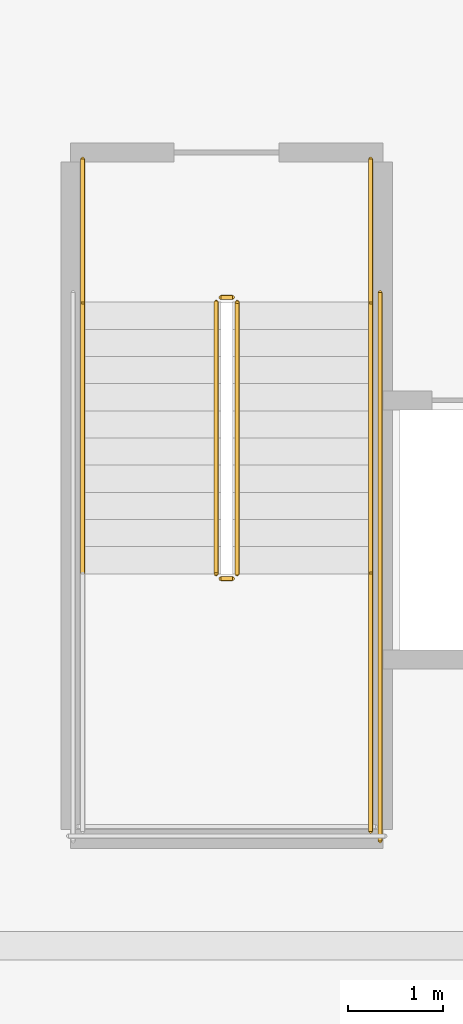
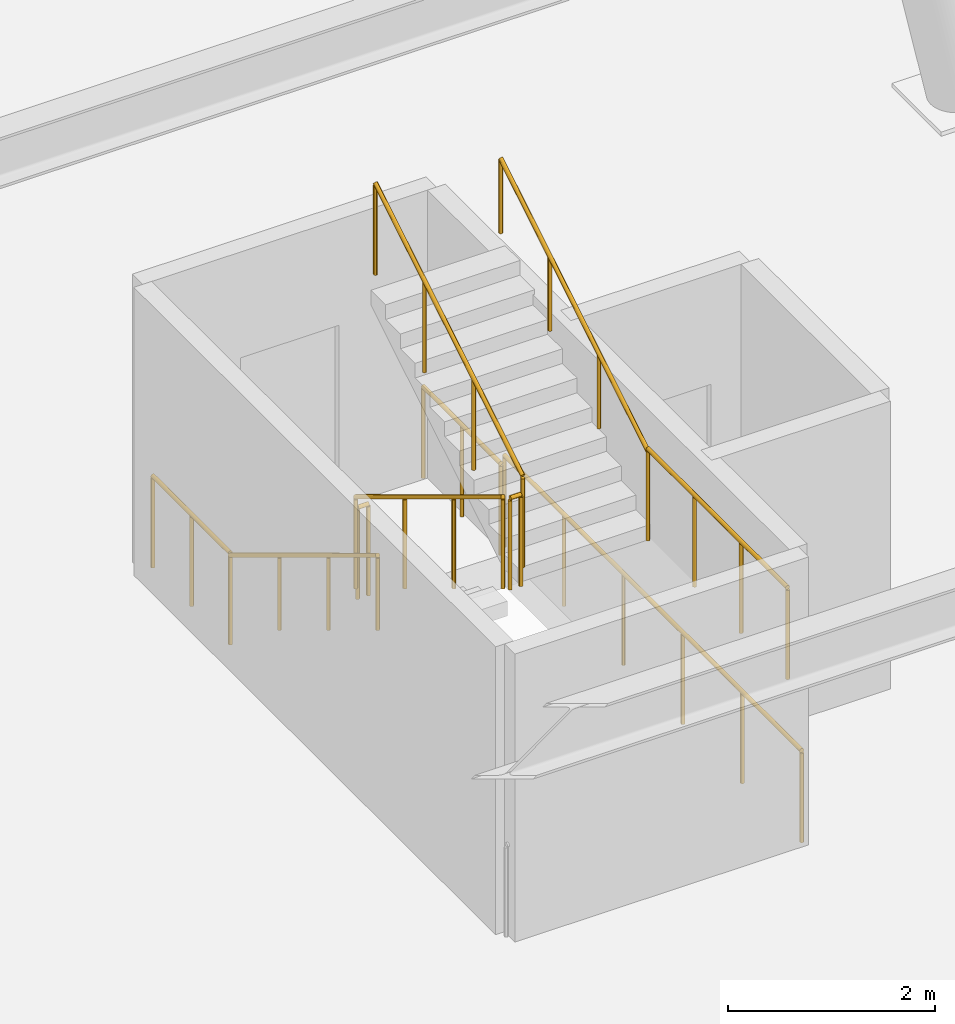
# One storey, part 22 of 23: 10 railings.
"""IFC4 building model written with IfcOpenShell, lengths in metres."""

from ifc_helpers import new_model, si_unit, direction, frame, origin, origin_2d, place, context, subcontext, project, spatial, circle, extrude, material, type_object, element, save


model = new_model("IFC4")

# Units and contexts
model_context = context("Model", 3, precision=1e-05, world=origin(), true_north=direction((0.0, 1.0)))
body_context = subcontext(model_context, "Body", "Model", "MODEL_VIEW")
ifc_project = project(units=[si_unit("LENGTHUNIT", "METRE"), si_unit("AREAUNIT", "SQUARE_METRE"), si_unit("VOLUMEUNIT", "CUBIC_METRE"), si_unit("PLANEANGLEUNIT", "RADIAN"), si_unit("MASSUNIT", "GRAM", prefix="KILO")], contexts=[model_context])

# Site, building, storey
site_placement = place(None, origin())
site = spatial("IfcSite", under=ifc_project, at=site_placement, CompositionType="ELEMENT")
building_placement = place(site_placement, origin())
building = spatial("IfcBuilding", under=site, at=building_placement, Name="Qobustan Lattice House", CompositionType="ELEMENT")
storey_placement = place(building_placement, frame((0.0, 0.0, 270.199951171875)))
storey = spatial("IfcBuildingStorey", under=building, at=storey_placement, Name="L76", CompositionType="ELEMENT", Elevation=270.199951171875)

# Railings
ifc_material_1 = material(Name="Brushed stainless steel handrail", Category="steel")
railing_type_1 = type_object("IfcRailingType", Name="RAL-HR-920", PredefinedType="HANDRAIL", material=ifc_material_1)
railing_1_placement = place(storey_placement, frame((-1.510009765625, 1.14990234375, 0.1728515625)))
element("IfcRailing", 1, at=railing_1_placement, inside=storey, type_object=railing_type_1, Name="L76 ST-C1 stair handrail 1", PredefinedType="HANDRAIL", context=body_context, shape_type="SweptSolid", body=[
    extrude(circle(Radius=0.02392578125, at=origin_2d()), frame((0.0, 0.0, 0.8759765625), z_axis=(0.0, -0.855183070636, 0.518326070826), x_axis=(1.0, 0.0, 0.0)), (0.0, 0.0, 1.0), 3.33251953125),
    extrude(circle(Radius=0.02099609375, at=origin_2d()), origin(), (0.0, 0.0, 1.0), 0.851806640625),
    extrude(circle(Radius=0.02099609375, at=origin_2d()), frame((0.0, -0.949951171875, 0.57568359375)), (0.0, 0.0, 1.0), 0.851806640625),
    extrude(circle(Radius=0.02099609375, at=origin_2d()), frame((0.0, -1.89990234375, 1.151611328125)), (0.0, 0.0, 1.0), 0.851806640625),
    extrude(circle(Radius=0.02099609375, at=origin_2d()), frame((0.0, -2.849853515625, 1.727294921875)), (0.0, 0.0, 1.0), 0.851806640625),
])
railing_2_placement = place(storey_placement, frame((1.510009765625, -1.699951171875, 2.07275390625)))
element("IfcRailing", 2, at=railing_2_placement, inside=storey, type_object=railing_type_1, Name="L76 ST-C1 stair handrail 2", PredefinedType="HANDRAIL", context=body_context, shape_type="SweptSolid", body=[
    extrude(circle(Radius=0.02392578125, at=origin_2d()), frame((0.0, 0.0, 0.8759765625), z_axis=(0.0, 0.855183070636, 0.518326070826), x_axis=(-1.0, 0.0, 0.0)), (0.0, 0.0, 1.0), 3.33251953125),
    extrude(circle(Radius=0.02099609375, at=origin_2d()), origin(), (0.0, 0.0, 1.0), 0.851806640625),
    extrude(circle(Radius=0.02099609375, at=origin_2d()), frame((0.0, 0.949951171875, 0.57568359375)), (0.0, 0.0, 1.0), 0.851806640625),
    extrude(circle(Radius=0.02099609375, at=origin_2d()), frame((0.0, 1.89990234375, 1.151611328125)), (0.0, 0.0, 1.0), 0.851806640625),
    extrude(circle(Radius=0.02099609375, at=origin_2d()), frame((0.0, 2.849853515625, 1.727294921875)), (0.0, 0.0, 1.0), 0.851806640625),
])
ifc_material_2 = material(Name="Painted galvanized steel guardrail", Category="steel")
railing_type_2 = type_object("IfcRailingType", Name="RAL-STG-1150", PredefinedType="GUARDRAIL", material=ifc_material_2)
railing_3_placement = place(storey_placement, frame((-0.110107421875, 1.14990234375, 0.1728515625)))
element("IfcRailing", 3, at=railing_3_placement, inside=storey, type_object=railing_type_2, Name="L76 ST-C1 stair guard 1", PredefinedType="GUARDRAIL", context=body_context, shape_type="SweptSolid", body=[
    extrude(circle(Radius=0.02392578125, at=origin_2d()), frame((0.0, 0.0, 1.076171875), z_axis=(0.0, -0.855183070636, 0.518326070826), x_axis=(1.0, 0.0, 0.0)), (0.0, 0.0, 1.0), 3.33251953125),
    extrude(circle(Radius=0.02099609375, at=origin_2d()), origin(), (0.0, 0.0, 1.0), 1.052001953125),
    extrude(circle(Radius=0.02099609375, at=origin_2d()), frame((0.0, -0.949951171875, 0.57568359375)), (0.0, 0.0, 1.0), 1.052001953125),
    extrude(circle(Radius=0.02099609375, at=origin_2d()), frame((0.0, -1.89990234375, 1.151611328125)), (0.0, 0.0, 1.0), 1.052001953125),
    extrude(circle(Radius=0.02099609375, at=origin_2d()), frame((0.0, -2.849853515625, 1.727294921875)), (0.0, 0.0, 1.0), 1.052001953125),
])
railing_4_placement = place(storey_placement, frame((-0.06005859375, -1.75, 1.900146484375)))
element("IfcRailing", 4, at=railing_4_placement, inside=storey, type_object=railing_type_2, Name="L76 ST-C1 stair guard 2", PredefinedType="GUARDRAIL", context=body_context, shape_type="SweptSolid", body=[
    extrude(circle(Radius=0.02392578125, at=origin_2d()), frame((0.0, 0.0, 1.076171875), z_axis=(1.0, 0.0, 0.0), x_axis=(0.0, 1.0, 0.0)), (0.0, 0.0, 1.0), 0.1201171875),
    extrude(circle(Radius=0.02099609375, at=origin_2d()), origin(), (0.0, 0.0, 1.0), 1.052001953125),
    extrude(circle(Radius=0.02099609375, at=origin_2d()), frame((0.1201171875, 0.0, 0.0)), (0.0, 0.0, 1.0), 1.052001953125),
])
railing_5_placement = place(storey_placement, frame((1.510009765625, -1.699951171875, 1.900146484375)))
element("IfcRailing", 5, at=railing_5_placement, inside=storey, type_object=railing_type_2, Name="L76 ST-C1 stair guard 4", PredefinedType="GUARDRAIL", context=body_context, shape_type="SweptSolid", body=[
    extrude(circle(Radius=0.02392578125, at=origin_2d()), frame((0.0, 0.0, 1.076171875), z_axis=(0.0, -1.0, 0.0), x_axis=(1.0, 0.0, 0.0)), (0.0, 0.0, 1.0), 2.699951171875),
    extrude(circle(Radius=0.02099609375, at=origin_2d()), origin(), (0.0, 0.0, 1.0), 1.052001953125),
    extrude(circle(Radius=0.02099609375, at=origin_2d()), frame((0.0, -0.89990234375, 0.0)), (0.0, 0.0, 1.0), 1.052001953125),
    extrude(circle(Radius=0.02099609375, at=origin_2d()), frame((0.0, -1.800048828125, 0.0)), (0.0, 0.0, 1.0), 1.052001953125),
    extrude(circle(Radius=0.02099609375, at=origin_2d()), frame((0.0, -2.699951171875, 0.0)), (0.0, 0.0, 1.0), 1.052001953125),
])
railing_6_placement = place(storey_placement, frame((0.110107421875, -1.699951171875, 2.07275390625)))
element("IfcRailing", 6, at=railing_6_placement, inside=storey, type_object=railing_type_2, Name="L76 ST-C1 stair guard 6", PredefinedType="GUARDRAIL", context=body_context, shape_type="SweptSolid", body=[
    extrude(circle(Radius=0.02392578125, at=origin_2d()), frame((0.0, 0.0, 1.076171875), z_axis=(0.0, 0.855183070636, 0.518326070826), x_axis=(-1.0, 0.0, 0.0)), (0.0, 0.0, 1.0), 3.33251953125),
    extrude(circle(Radius=0.02099609375, at=origin_2d()), origin(), (0.0, 0.0, 1.0), 1.052001953125),
    extrude(circle(Radius=0.02099609375, at=origin_2d()), frame((0.0, 0.949951171875, 0.57568359375)), (0.0, 0.0, 1.0), 1.052001953125),
    extrude(circle(Radius=0.02099609375, at=origin_2d()), frame((0.0, 1.89990234375, 1.151611328125)), (0.0, 0.0, 1.0), 1.052001953125),
    extrude(circle(Radius=0.02099609375, at=origin_2d()), frame((0.0, 2.849853515625, 1.727294921875)), (0.0, 0.0, 1.0), 1.052001953125),
])
railing_7_placement = place(storey_placement, frame((-0.06005859375, 1.199951171875, 0.0)))
element("IfcRailing", 7, at=railing_7_placement, inside=storey, type_object=railing_type_2, Name="L76 ST-C1 stair guard 7", PredefinedType="GUARDRAIL", context=body_context, shape_type="SweptSolid", body=[
    extrude(circle(Radius=0.02392578125, at=origin_2d()), frame((0.0, 0.0, 1.076171875), z_axis=(1.0, 0.0, 0.0), x_axis=(0.0, 1.0, 0.0)), (0.0, 0.0, 1.0), 0.1201171875),
    extrude(circle(Radius=0.02099609375, at=origin_2d()), origin(), (0.0, 0.0, 1.0), 1.052001953125),
    extrude(circle(Radius=0.02099609375, at=origin_2d()), frame((0.1201171875, 0.0, 0.0)), (0.0, 0.0, 1.0), 1.052001953125),
])
for number, where, name in (
    (8, (-1.510009765625, 2.64990234375, 0.0), "L76 ST-C1 stair guard 8"),
    (9, (1.510009765625, 2.64990234375, 0.0), "L76 ST-C1 stair guard 9"),
):
    element("IfcRailing", number, at=place(storey_placement, frame(where)), inside=storey, type_object=railing_type_2, Name=name, PredefinedType="GUARDRAIL", context=body_context, shape_type="SweptSolid", body=[
        extrude(circle(Radius=0.02392578125, at=origin_2d()), frame((0.0, 0.0, 1.076171875), z_axis=(0.0, -1.0, 0.0), x_axis=(1.0, 0.0, 0.0)), (0.0, 0.0, 1.0), 1.5),
        extrude(circle(Radius=0.02099609375, at=origin_2d()), origin(), (0.0, 0.0, 1.0), 1.052001953125),
        extrude(circle(Radius=0.02099609375, at=origin_2d()), frame((0.0, -0.75, 0.0)), (0.0, 0.0, 1.0), 1.052001953125),
        extrude(circle(Radius=0.02099609375, at=origin_2d()), frame((0.0, -1.5, 0.0)), (0.0, 0.0, 1.0), 1.052001953125),
    ])
railing_8_placement = place(storey_placement, frame((1.610107421875, 1.25, 0.0)))
element("IfcRailing", 10, at=railing_8_placement, inside=storey, type_object=railing_type_2, Name="L76 ST-C1 stair guard 11", PredefinedType="GUARDRAIL", context=body_context, shape_type="SweptSolid", body=[
    extrude(circle(Radius=0.02392578125, at=origin_2d()), frame((0.0, 0.0, 1.076171875), z_axis=(0.0, -1.0, 0.0), x_axis=(1.0, 0.0, 0.0)), (0.0, 0.0, 1.0), 5.75),
    extrude(circle(Radius=0.02099609375, at=origin_2d()), origin(), (0.0, 0.0, 1.0), 1.052001953125),
    extrude(circle(Radius=0.02099609375, at=origin_2d()), frame((0.0, -1.14990234375, 0.0)), (0.0, 0.0, 1.0), 1.052001953125),
    extrude(circle(Radius=0.02099609375, at=origin_2d()), frame((0.0, -2.300048828125, 0.0)), (0.0, 0.0, 1.0), 1.052001953125),
    extrude(circle(Radius=0.02099609375, at=origin_2d()), frame((0.0, -3.449951171875, 0.0)), (0.0, 0.0, 1.0), 1.052001953125),
    extrude(circle(Radius=0.02099609375, at=origin_2d()), frame((0.0, -4.60009765625, 0.0)), (0.0, 0.0, 1.0), 1.052001953125),
    extrude(circle(Radius=0.02099609375, at=origin_2d()), frame((0.0, -5.75, 0.0)), (0.0, 0.0, 1.0), 1.052001953125),
])

save(model, "model.ifc")
